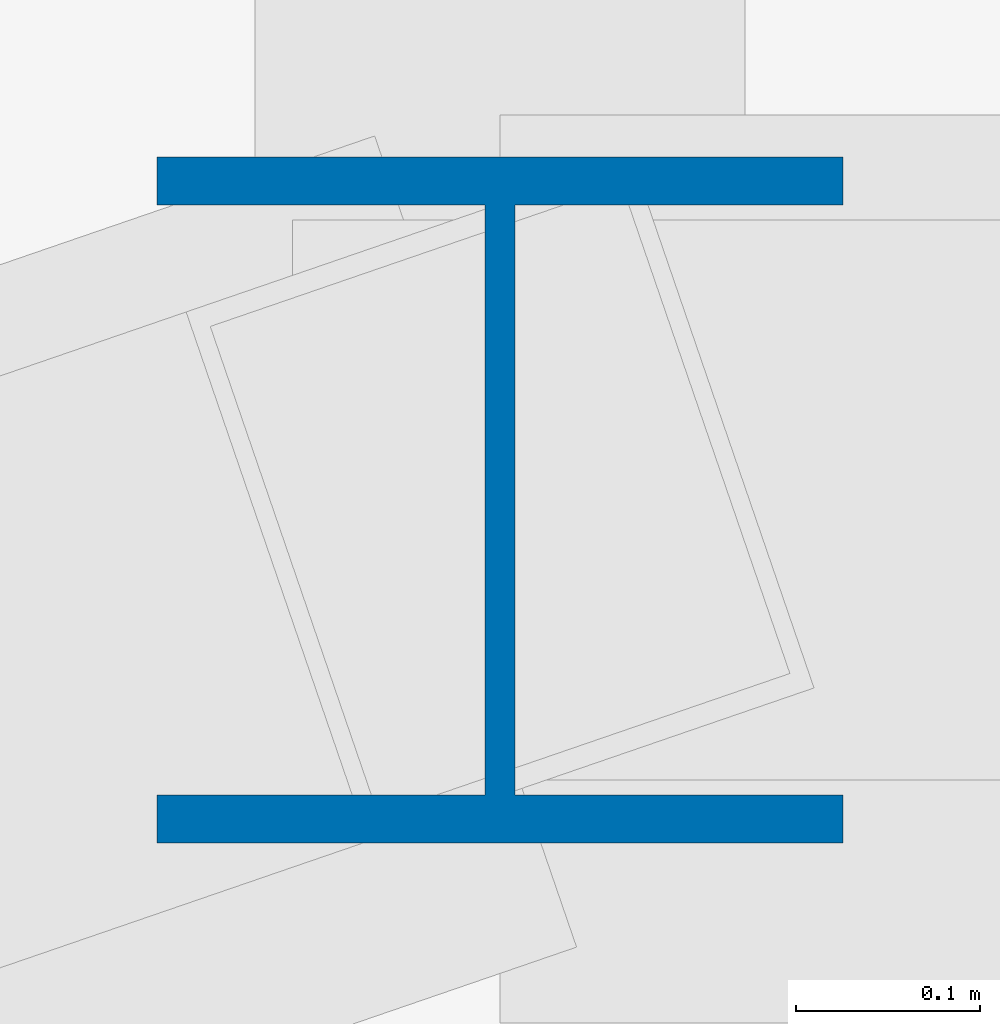
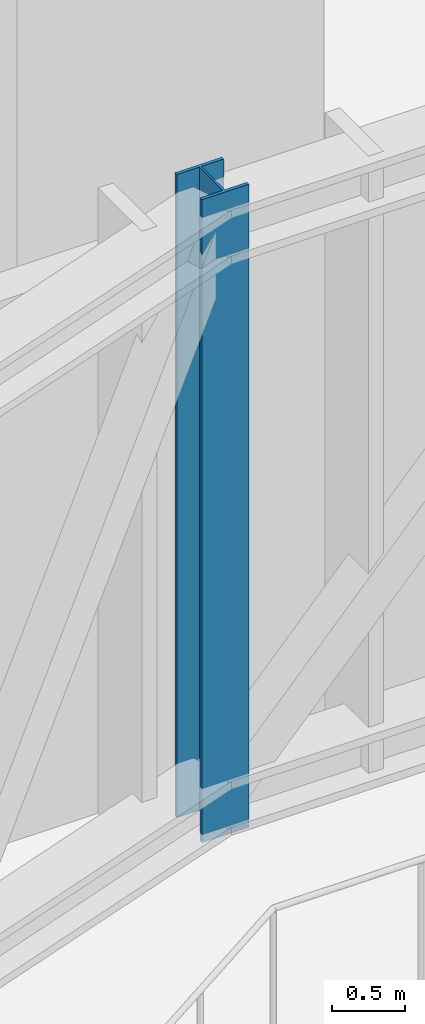
# One storey, part 2 of 31: 1 column.
"""IFC4 building model written with IfcOpenShell, lengths in metres."""

from ifc_helpers import new_model, si_unit, direction, frame, origin, origin_2d, place, context, subcontext, project, spatial, i_section, extrude, material, material_profile, profile_set, type_object, element, save


model = new_model("IFC4")

# Units and contexts
model_context = context("Model", 3, precision=1e-05, world=origin(), true_north=direction((0.0, 1.0)))
body_context = subcontext(model_context, "Body", "Model", "MODEL_VIEW")
ifc_project = project(units=[si_unit("LENGTHUNIT", "METRE"), si_unit("AREAUNIT", "SQUARE_METRE"), si_unit("VOLUMEUNIT", "CUBIC_METRE"), si_unit("PLANEANGLEUNIT", "RADIAN"), si_unit("MASSUNIT", "GRAM", prefix="KILO")], contexts=[model_context])

# Site, building, storey
site_placement = place(None, origin())
site = spatial("IfcSite", under=ifc_project, at=site_placement, CompositionType="ELEMENT")
building_placement = place(site_placement, origin())
building = spatial("IfcBuilding", under=site, at=building_placement, Name="Bicima Exchange Tower", CompositionType="ELEMENT")
storey_placement = place(building_placement, frame((0.0, 0.0, 236.0)))
storey = spatial("IfcBuildingStorey", under=building, at=storey_placement, Name="L53", CompositionType="ELEMENT", Elevation=236.0)

# Column
ifc_material = material(Name="Steel ASTM A992 Gr 50", Category="steel")
ifc_material_profile = material_profile(ifc_material, i_section(OverallWidth=0.373291015625, OverallDepth=0.373291015625, WebThickness=0.016357421875, FlangeThickness=0.026123046875, at=origin_2d()))
ifc_profile_set = profile_set([ifc_material_profile], Name="Steel ASTM A992 Gr 50")
column_type = type_object("IfcColumnType", Name="Perimeter column W14x132", PredefinedType="COLUMN", material=ifc_profile_set)
column_placement = place(storey_placement, frame((17.39990234375, -28.010009765625, 0.0), z_axis=(0.0, 0.0, 1.0), x_axis=(1.0, 0.0, 0.0)))
element("IfcColumn", 1, at=column_placement, inside=storey, type_object=column_type, Name="Perimeter column grav+17.4f", PredefinedType="COLUMN", context=body_context, shape_type="SweptSolid", body=[
    extrude(i_section(OverallWidth=0.373291015625, OverallDepth=0.373291015625, WebThickness=0.016357421875, FlangeThickness=0.026123046875, at=origin_2d()), origin(), (0.0, 0.0, 1.0), 5.39990234375),
])

save(model, "model.ifc")
